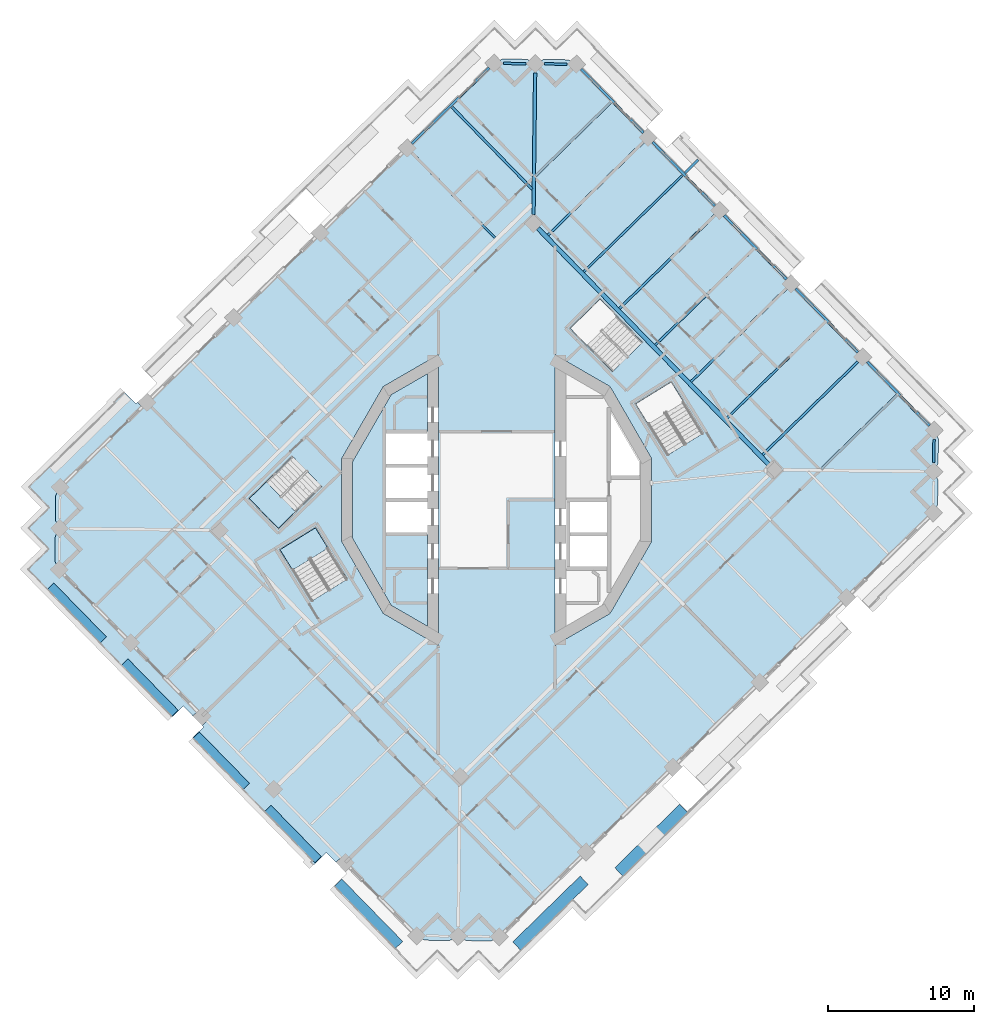
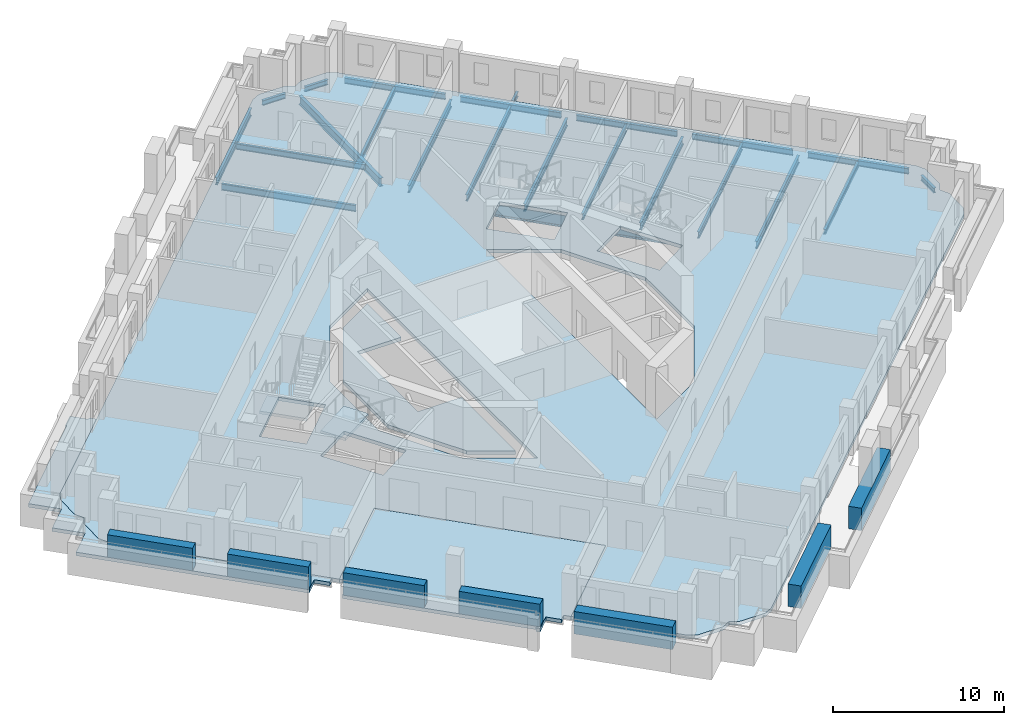
# One storey, part 2 of 17: 23 beams, 7 plates, 6 slabs, 2 elements without a shape of their own.
"""IFC4 building model written with IfcOpenShell, lengths in metres."""

from ifc_helpers import new_model, si_unit, direction, frame, origin, origin_2d, place, context, subcontext, project, spatial, polyline, rectangle, i_section, outline, extrude, material, layer, layer_set, material_profile, profile_set, type_object, element, aggregate, save


model = new_model("IFC4")

# Units and contexts
model_context = context("Model", 3, precision=1e-05, world=origin(), true_north=direction((0.0, 1.0)))
body_context = subcontext(model_context, "Body", "Model", "MODEL_VIEW")
ifc_project = project(units=[si_unit("LENGTHUNIT", "METRE"), si_unit("AREAUNIT", "SQUARE_METRE"), si_unit("VOLUMEUNIT", "CUBIC_METRE"), si_unit("PLANEANGLEUNIT", "RADIAN"), si_unit("MASSUNIT", "GRAM", prefix="KILO")], contexts=[model_context])

# Site, building, storey
site_placement = place(None, origin())
site = spatial("IfcSite", under=ifc_project, at=site_placement, CompositionType="ELEMENT")
building_placement = place(site_placement, origin())
building = spatial("IfcBuilding", under=site, at=building_placement, Name="Cantera Rosa Tower", CompositionType="ELEMENT")
storey_placement = place(building_placement, frame((0.0, 0.0, 237.800048828125)))
storey = spatial("IfcBuildingStorey", under=building, at=storey_placement, Name="L52", CompositionType="ELEMENT", Elevation=237.800048828125)

# Beams
ifc_material_1 = material(Name="Steel ASTM A992 (Fy 345 MPa)", Category="steel")
ifc_material_profile_1 = material_profile(ifc_material_1, i_section(OverallWidth=0.302001953125, OverallDepth=1.010009765625, WebThickness=0.02099609375, FlangeThickness=0.0400390625, FilletRadius=0.030029296875, at=origin_2d()), Name="W1000X350")
ifc_profile_set_1 = profile_set([ifc_material_profile_1], Name="Steel ASTM A992 (Fy 345 MPa)")
beam_type_1 = type_object("IfcBeamType", Name="STEEL BEAM W1000X350", PredefinedType="BEAM", material=ifc_profile_set_1)
beam_1_placement = place(storey_placement, frame((18.69677734375, 2.39892578125, -0.755126953125), z_axis=(-0.698831294804, 0.715286530981, 0.0), x_axis=(-0.715286530981, -0.698831294804, 0.0)))
element("IfcBeam", 1, at=beam_1_placement, inside=storey, type_object=beam_type_1, Name="RB-Z4-05 L52", PredefinedType="BEAM", context=body_context, shape_type="SweptSolid", body=[
    extrude(i_section(OverallWidth=0.302001953125, OverallDepth=1.010009765625, WebThickness=0.02099609375, FlangeThickness=0.0400390625, FilletRadius=0.030029296875, at=origin_2d()), origin(), (0.0, 0.0, 1.0), 22.7001953125),
])
ifc_material_2 = material(Name="Steel ASTM A992 (Fy 345 MPa)", Category="steel")
ifc_material_profile_2 = material_profile(ifc_material_2, i_section(OverallWidth=0.154052734375, OverallDepth=0.4599609375, WebThickness=0.009033203125, FlangeThickness=0.015380859375, FilletRadius=0.01025390625, at=origin_2d()), Name="W460X68")
ifc_profile_set_2 = profile_set([ifc_material_profile_2], Name="Steel ASTM A992 (Fy 345 MPa)")
beam_type_2 = type_object("IfcBeamType", Name="STEEL BEAM W460X68", PredefinedType="BEAM", material=ifc_profile_set_2)
beam_2_placement = place(storey_placement, frame((-5.818603515625, 23.81396484375, -0.47998046875), z_axis=(0.698836133494, -0.715281803574, 0.0), x_axis=(0.715281803574, 0.698836133494, 0.0)))
element("IfcBeam", 2, at=beam_2_placement, inside=storey, type_object=beam_type_2, Name="G-Z4-05 L52", PredefinedType="BEAM", context=body_context, shape_type="SweptSolid", body=[
    extrude(i_section(OverallWidth=0.154052734375, OverallDepth=0.4599609375, WebThickness=0.009033203125, FlangeThickness=0.015380859375, FilletRadius=0.01025390625, at=origin_2d()), origin(), (0.0, 0.0, 1.0), 8.150146484375),
])
ifc_material_3 = material(Name="Steel ASTM A992 (Fy 345 MPa)", Category="steel")
ifc_material_profile_3 = material_profile(ifc_material_3, i_section(OverallWidth=0.166015625, OverallDepth=0.528076171875, WebThickness=0.009765625, FlangeThickness=0.013671875, FilletRadius=0.0126953125, at=origin_2d()), Name="W530X74")
ifc_profile_set_3 = profile_set([ifc_material_profile_3], Name="Steel ASTM A992 (Fy 345 MPa)")
beam_type_3 = type_object("IfcBeamType", Name="STEEL BEAM W530X74", PredefinedType="BEAM", material=ifc_profile_set_3)
for number, where, z_axis, x_axis, name in (
    (3, (24.77587890625, 9.484619140625, -0.51416015625), (-0.71529025682, -0.698827481213, 0.0), (0.698827481213, -0.71529025682, 0.0), "G-Z4-01 L52"),
    (4, (19.8701171875, 14.505859375, -0.51416015625), (-0.71529025682, -0.698827481213, 0.0), (0.698827481213, -0.71529025682, 0.0), "G-Z4-02 L52"),
    (5, (14.96435546875, 19.527099609375, -0.51416015625), (-0.71529025682, -0.698827481213, 0.0), (0.698827481213, -0.71529025682, 0.0), "G-Z4-03 L52"),
    (6, (10.05859375, 24.548583984375, -0.51416015625), (-0.71529025682, -0.698827481213, 0.0), (0.698827481213, -0.71529025682, 0.0), "G-Z4-04 L52"),
):
    element("IfcBeam", number, at=place(storey_placement, frame(where, z_axis=z_axis, x_axis=x_axis)), inside=storey, type_object=beam_type_3, Name=name, PredefinedType="BEAM", context=body_context, shape_type="SweptSolid", body=[
        extrude(i_section(OverallWidth=0.166015625, OverallDepth=0.528076171875, WebThickness=0.009765625, FlangeThickness=0.013671875, FilletRadius=0.0126953125, at=origin_2d()), origin(), (0.0, 0.0, 1.0), 9.14990234375),
    ])
ifc_material_4 = material(Name="Steel ASTM A992 (Fy 345 MPa)", Category="steel")
ifc_material_profile_4 = material_profile(ifc_material_4, i_section(OverallWidth=0.22802734375, OverallDepth=0.60205078125, WebThickness=0.010498046875, FlangeThickness=0.014892578125, FilletRadius=0.0126953125, at=origin_2d()), Name="W610X101")
ifc_profile_set_4 = profile_set([ifc_material_profile_4], Name="Steel ASTM A992 (Fy 345 MPa)")
beam_type_4 = type_object("IfcBeamType", Name="STEEL BEAM W610X101", PredefinedType="BEAM", material=ifc_profile_set_4)
beam_3_placement = place(storey_placement, frame((2.638916015625, 29.28076171875, -0.551025390625), z_axis=(-0.011618330597, -0.999932504919, 0.0), x_axis=(0.999932504919, -0.011618330597, 0.0)))
element("IfcBeam", 7, at=beam_3_placement, inside=storey, type_object=beam_type_4, Name="CB-Z4-01 L52", PredefinedType="BEAM", context=body_context, shape_type="SweptSolid", body=[
    extrude(i_section(OverallWidth=0.22802734375, OverallDepth=0.60205078125, WebThickness=0.010498046875, FlangeThickness=0.014892578125, FilletRadius=0.0126953125, at=origin_2d()), origin(), (0.0, 0.0, 1.0), 9.687255859375),
])
ifc_material_5 = material(Name="Steel ASTM A992 (Fy 345 MPa)", Category="steel")
ifc_material_profile_5 = material_profile(ifc_material_5, i_section(OverallWidth=0.1708984375, OverallDepth=0.35595703125, WebThickness=0.00732421875, FlangeThickness=0.01171875, FilletRadius=0.010009765625, at=origin_2d()), Name="W360X51")
ifc_profile_set_5 = profile_set([ifc_material_profile_5], Name="Steel ASTM A992 (Fy 345 MPa)")
beam_type_5 = type_object("IfcBeamType", Name="STEEL JOIST W360X51", PredefinedType="JOIST", material=ifc_profile_set_5)
for number, where, z_axis, x_axis, name in (
    (8, (27.443359375, 7.18359375, -0.427978515625), (-0.715287213552, -0.69883059616, 0.0), (0.69883059616, -0.715287213552, 0.0), "B-Z4-01 L52"),
    (9, (7.8203125, 27.268798828125, -0.427978515625), (-0.715287213552, -0.69883059616, 0.0), (0.69883059616, -0.715287213552, 0.0), "B-Z4-05 L52"),
):
    element("IfcBeam", number, at=place(storey_placement, frame(where, z_axis=z_axis, x_axis=x_axis)), inside=storey, type_object=beam_type_5, Name=name, PredefinedType="JOIST", context=body_context, shape_type="SweptSolid", body=[
        extrude(i_section(OverallWidth=0.1708984375, OverallDepth=0.35595703125, WebThickness=0.00732421875, FlangeThickness=0.01171875, FilletRadius=0.010009765625, at=origin_2d()), origin(), (0.0, 0.0, 1.0), 7.2099609375),
    ])
beam_4_placement = place(storey_placement, frame((12.92626953125, 22.443115234375, -0.427978515625), z_axis=(0.715262642927, 0.698855744509, 0.0), x_axis=(-0.698855744509, 0.715262642927, 0.0)))
element("IfcBeam", 10, at=beam_4_placement, inside=storey, type_object=beam_type_5, Name="BS-Z4-18 L52", PredefinedType="JOIST", context=body_context, shape_type="SweptSolid", body=[
    extrude(i_section(OverallWidth=0.1708984375, OverallDepth=0.35595703125, WebThickness=0.00732421875, FlangeThickness=0.01171875, FilletRadius=0.010009765625, at=origin_2d()), origin(), (0.0, 0.0, 1.0), 1.25),
])
ifc_material_6 = material(Name="Steel ASTM A992 (Fy 345 MPa)", Category="steel")
ifc_material_profile_6 = material_profile(ifc_material_6, i_section(OverallWidth=0.177978515625, OverallDepth=0.406005859375, WebThickness=0.0078125, FlangeThickness=0.0126953125, FilletRadius=0.01025390625, at=origin_2d()), Name="W410X60")
ifc_profile_set_6 = profile_set([ifc_material_profile_6], Name="Steel ASTM A992 (Fy 345 MPa)")
beam_type_6 = type_object("IfcBeamType", Name="STEEL JOIST W410X60", PredefinedType="JOIST", material=ifc_profile_set_6)
beam_5_placement = place(storey_placement, frame((-3.052734375, 26.935791015625, -0.453125), z_axis=(0.698827868311, -0.715289878631, 0.0), x_axis=(0.715289878631, 0.698827868311, 0.0)))
element("IfcBeam", 11, at=beam_5_placement, inside=storey, type_object=beam_type_6, Name="B-Z4-06 L52", PredefinedType="JOIST", context=body_context, shape_type="SweptSolid", body=[
    extrude(i_section(OverallWidth=0.177978515625, OverallDepth=0.406005859375, WebThickness=0.0078125, FlangeThickness=0.0126953125, FilletRadius=0.01025390625, at=origin_2d()), origin(), (0.0, 0.0, 1.0), 7.860107421875),
])
ifc_material_7 = material(Name="Steel ASTM A992 (Fy 345 MPa)", Category="steel")
ifc_material_profile_7 = material_profile(ifc_material_7, i_section(OverallWidth=0.154052734375, OverallDepth=0.4599609375, WebThickness=0.009033203125, FlangeThickness=0.015380859375, FilletRadius=0.01025390625, at=origin_2d()), Name="W460X68")
ifc_profile_set_7 = profile_set([ifc_material_profile_7], Name="Steel ASTM A992 (Fy 345 MPa)")
beam_type_7 = type_object("IfcBeamType", Name="STEEL JOIST W460X68", PredefinedType="JOIST", material=ifc_profile_set_7)
for number, where, z_axis, x_axis, name in (
    (12, (22.53759765625, 12.204833984375, -0.47998046875), (-0.715287278354, -0.698830529832, 0.0), (0.698830529832, -0.715287278354, 0.0), "B-Z4-02 L52"),
    (13, (17.6318359375, 17.226318359375, -0.47998046875), (-0.715287278354, -0.698830529832, 0.0), (0.698830529832, -0.715287278354, 0.0), "B-Z4-03 L52"),
    (14, (12.72607421875, 22.24755859375, -0.47998046875), (-0.715287278354, -0.698830529832, 0.0), (0.698830529832, -0.715287278354, 0.0), "B-Z4-04 L52"),
):
    element("IfcBeam", number, at=place(storey_placement, frame(where, z_axis=z_axis, x_axis=x_axis)), inside=storey, type_object=beam_type_7, Name=name, PredefinedType="JOIST", context=body_context, shape_type="SweptSolid", body=[
        extrude(i_section(OverallWidth=0.154052734375, OverallDepth=0.4599609375, WebThickness=0.009033203125, FlangeThickness=0.015380859375, FilletRadius=0.01025390625, at=origin_2d()), origin(), (0.0, 0.0, 1.0), 9.4501953125),
    ])
ifc_material_8 = material(Name="Steel ASTM A992 (Fy 345 MPa)", Category="steel")
ifc_material_profile_8 = material_profile(ifc_material_8, i_section(OverallWidth=0.1708984375, OverallDepth=0.35595703125, WebThickness=0.00732421875, FlangeThickness=0.01171875, FilletRadius=0.010009765625, at=origin_2d()), Name="W360X51")
ifc_profile_set_8 = profile_set([ifc_material_profile_8], Name="Steel ASTM A992 (Fy 345 MPa)")
beam_type_8 = type_object("IfcBeamType", Name="STEEL SPANDREL BEAM W360X51", PredefinedType="SPANDREL", material=ifc_profile_set_8)
for number, where, z_axis, x_axis, name in (
    (15, (4.838134765625, 29.8916015625, -0.427978515625), (-0.999930716123, 0.011771276677, 0.0), (-0.011771276677, -0.999930716123, 0.0), "EB-Z4-06 L52"),
    (16, (2.010009765625, 29.924560546875, -0.427978515625), (-0.99993255119, 0.011614347636, 0.0), (-0.011614347636, -0.99993255119, 0.0), "EB-Z4-07 L52"),
    (17, (29.97802734375, 2.5859375, -0.427978515625), (0.011614347636, 0.99993255119, 0.0), (-0.99993255119, 0.011614347636, 0.0), "EB-Z4-28 L52"),
):
    element("IfcBeam", number, at=place(storey_placement, frame(where, z_axis=z_axis, x_axis=x_axis)), inside=storey, type_object=beam_type_8, Name=name, PredefinedType="SPANDREL", context=body_context, shape_type="SweptSolid", body=[
        extrude(i_section(OverallWidth=0.1708984375, OverallDepth=0.35595703125, WebThickness=0.00732421875, FlangeThickness=0.01171875, FilletRadius=0.010009765625, at=origin_2d()), origin(), (0.0, 0.0, 1.0), 1.555419921875),
    ])
ifc_material_9 = material(Name="Steel ASTM A992 (Fy 345 MPa)", Category="steel")
ifc_material_profile_9 = material_profile(ifc_material_9, i_section(OverallWidth=0.177978515625, OverallDepth=0.406005859375, WebThickness=0.0078125, FlangeThickness=0.0126953125, FilletRadius=0.01025390625, at=origin_2d()), Name="W410X60")
ifc_profile_set_9 = profile_set([ifc_material_profile_9], Name="Steel ASTM A992 (Fy 345 MPa)")
beam_type_9 = type_object("IfcBeamType", Name="STEEL SPANDREL BEAM W410X60", PredefinedType="SPANDREL", material=ifc_profile_set_9)
beam_6_placement = place(storey_placement, frame((29.689208984375, 5.099609375, -0.453125), z_axis=(-0.69882117953, 0.715296413412, 0.0), x_axis=(-0.715296413412, -0.69882117953, 0.0)))
element("IfcBeam", 18, at=beam_6_placement, inside=storey, type_object=beam_type_9, Name="EB-Z4-01 L52", PredefinedType="SPANDREL", context=body_context, shape_type="SweptSolid", body=[
    extrude(i_section(OverallWidth=0.177978515625, OverallDepth=0.406005859375, WebThickness=0.0078125, FlangeThickness=0.0126953125, FilletRadius=0.01025390625, at=origin_2d()), origin(), (0.0, 0.0, 1.0), 6.1201171875),
])
for number, where, z_axis, x_axis, name in (
    (19, (24.783203125, 10.120849609375, -0.453125), (-0.698800768177, 0.715316354067, 0.0), (-0.715316354067, -0.698800768177, 0.0), "EB-Z4-02 L52"),
    (20, (19.87744140625, 15.142333984375, -0.453125), (-0.698841120217, 0.71527693147, 0.0), (-0.71527693147, -0.698841120217, 0.0), "EB-Z4-03 L52"),
    (21, (14.9716796875, 20.16357421875, -0.453125), (-0.698841120217, 0.71527693147, 0.0), (-0.71527693147, -0.698841120217, 0.0), "EB-Z4-04 L52"),
):
    element("IfcBeam", number, at=place(storey_placement, frame(where, z_axis=z_axis, x_axis=x_axis)), inside=storey, type_object=beam_type_9, Name=name, PredefinedType="SPANDREL", context=body_context, shape_type="SweptSolid", body=[
        extrude(i_section(OverallWidth=0.177978515625, OverallDepth=0.406005859375, WebThickness=0.0078125, FlangeThickness=0.0126953125, FilletRadius=0.01025390625, at=origin_2d()), origin(), (0.0, 0.0, 1.0), 6.119873046875),
    ])
beam_7_placement = place(storey_placement, frame((10.06591796875, 25.184814453125, -0.453125), z_axis=(-0.69882117953, 0.715296413412, 0.0), x_axis=(-0.715296413412, -0.69882117953, 0.0)))
element("IfcBeam", 22, at=beam_7_placement, inside=storey, type_object=beam_type_9, Name="EB-Z4-05 L52", PredefinedType="SPANDREL", context=body_context, shape_type="SweptSolid", body=[
    extrude(i_section(OverallWidth=0.177978515625, OverallDepth=0.406005859375, WebThickness=0.0078125, FlangeThickness=0.0126953125, FilletRadius=0.01025390625, at=origin_2d()), origin(), (0.0, 0.0, 1.0), 6.1201171875),
])
ifc_material_10 = material(Name="Steel ASTM A992 (Fy 345 MPa)", Category="steel")
ifc_material_profile_10 = material_profile(ifc_material_10, i_section(OverallWidth=0.166015625, OverallDepth=0.528076171875, WebThickness=0.009765625, FlangeThickness=0.013671875, FilletRadius=0.0126953125, at=origin_2d()), Name="W530X74")
ifc_profile_set_10 = profile_set([ifc_material_profile_10], Name="Steel ASTM A992 (Fy 345 MPa)")
beam_type_10 = type_object("IfcBeamType", Name="STEEL SPANDREL BEAM W530X74", PredefinedType="SPANDREL", material=ifc_profile_set_10)
beam_8_placement = place(storey_placement, frame((-0.503662109375, 29.6357421875, -0.51416015625), z_axis=(-0.715284379566, -0.698833496871, 0.0), x_axis=(0.698833496871, -0.715284379566, 0.0)))
element("IfcBeam", 23, at=beam_8_placement, inside=storey, type_object=beam_type_10, Name="EB-Z4-08 L52", PredefinedType="SPANDREL", context=body_context, shape_type="SweptSolid", body=[
    extrude(i_section(OverallWidth=0.166015625, OverallDepth=0.528076171875, WebThickness=0.009765625, FlangeThickness=0.013671875, FilletRadius=0.0126953125, at=origin_2d()), origin(), (0.0, 0.0, 1.0), 7.42041015625),
])

# Slabs
ifc_material_11 = material(Name="Concrete C35/45", Category="concrete")
ifc_layer_1 = layer(ifc_material_11, 0.25)
ifc_layer_set_1 = layer_set([ifc_layer_1], Name="COMPOSITE FLOOR SLAB 250 C35/45")
slab_type_1 = type_object("IfcSlabType", Name="COMPOSITE FLOOR SLAB 250 C35/45", PredefinedType="FLOOR", material=ifc_layer_set_1)
slab_1_placement = place(storey_placement, frame((0.0, 0.0, -0.25)))
element("IfcSlab", 24, at=slab_1_placement, inside=storey, type_object=slab_type_1, Name="SLAB L52 floor 1", PredefinedType="FLOOR", context=body_context, shape_type="SweptSolid", body=[
    extrude(outline(polyline([(-4.75, -2.35009765625), (-4.75, -8.660400390625), (-7.22900390625, -7.22900390625), (-9.875244140625, -2.64599609375), (-9.875244140625, 2.64599609375), (-7.22900390625, 7.22900390625), (-4.75, 8.660400390625), (-4.75, 4.699951171875), (-7.699951171875, 4.699951171875), (-7.699951171875, 2.35009765625), (-7.699951171875, 0.0), (-7.699951171875, -2.35009765625), (-4.75, -2.35009765625)])), origin(), (0.0, 0.0, 1.0), 0.25),
])
slab_2_placement = place(storey_placement, frame((0.0, 0.0, -0.25)))
element("IfcSlab", 25, at=slab_2_placement, inside=storey, type_object=slab_type_1, Name="SLAB L52 floor 2", PredefinedType="FLOOR", context=body_context, shape_type="SweptSolid", body=[
    extrude(outline(polyline([(-2.646484375, -29.917236328125), (-3.144287109375, -30.176025390625), (-3.171142578125, -30.188232421875), (-3.198974609375, -30.197998046875), (-3.2275390625, -30.20458984375), (-3.2568359375, -30.208740234375), (-3.2861328125, -30.209716796875), (-4.841796875, -30.191650390625), (-4.87109375, -30.18994140625), (-4.900146484375, -30.185302734375), (-4.9287109375, -30.177734375), (-4.956298828125, -30.16748046875), (-4.982666015625, -30.154541015625), (-5.474609375, -29.88427734375), (-10.38037109375, -24.863037109375), (-5.015869140625, -19.621826171875), (-14.827392578125, -9.5791015625), (-20.19189453125, -14.8203125), (-30.003662109375, -4.777587890625), (-30.262451171875, -4.27978515625), (-30.274658203125, -4.2529296875), (-30.2841796875, -4.22509765625), (-30.291015625, -4.196533203125), (-30.295166015625, -4.167236328125), (-30.296142578125, -4.137939453125), (-30.278076171875, -2.58251953125), (-30.2763671875, -2.552978515625), (-30.271484375, -2.52392578125), (-30.26416015625, -2.495361328125), (-30.25390625, -2.4677734375), (-30.240966796875, -2.44140625), (-29.970703125, -1.949462890625), (-30.2294921875, -1.451416015625), (-30.24169921875, -1.4248046875), (-30.25146484375, -1.39697265625), (-30.25830078125, -1.368408203125), (-30.26220703125, -1.339111328125), (-30.26318359375, -1.309814453125), (-30.2451171875, 0.245849609375), (-30.243408203125, 0.275146484375), (-30.23876953125, 0.30419921875), (-30.231201171875, 0.332763671875), (-30.220947265625, 0.3603515625), (-30.2080078125, 0.386962890625), (-29.937744140625, 0.878662109375), (-0.883056640625, 29.26513671875), (-0.181884765625, 29.9501953125), (0.316162109375, 30.208984375), (0.343017578125, 30.22119140625), (0.37060546875, 30.230712890625), (0.3994140625, 30.237548828125), (0.4287109375, 30.24169921875), (0.4580078125, 30.24267578125), (2.013427734375, 30.224609375), (2.04296875, 30.222900390625), (2.072021484375, 30.218017578125), (2.100341796875, 30.210693359375), (2.1279296875, 30.200439453125), (2.154541015625, 30.1875), (2.646484375, 29.917236328125), (3.144287109375, 30.176025390625), (3.171142578125, 30.188232421875), (3.198974609375, 30.197998046875), (3.2275390625, 30.20458984375), (3.2568359375, 30.208740234375), (3.2861328125, 30.209716796875), (4.841796875, 30.191650390625), (4.87109375, 30.18994140625), (4.900146484375, 30.185302734375), (4.9287109375, 30.177734375), (4.956298828125, 30.16748046875), (4.982666015625, 30.154541015625), (5.474609375, 29.88427734375), (30.003662109375, 4.777587890625), (30.262451171875, 4.27978515625), (30.274658203125, 4.2529296875), (30.2841796875, 4.22509765625), (30.291015625, 4.196533203125), (30.295166015625, 4.167236328125), (30.296142578125, 4.137939453125), (30.278076171875, 2.58251953125), (30.2763671875, 2.552978515625), (30.271484375, 2.52392578125), (30.26416015625, 2.495361328125), (30.25390625, 2.4677734375), (30.240966796875, 2.44140625), (29.970703125, 1.949462890625), (30.2294921875, 1.451416015625), (30.24169921875, 1.4248046875), (30.25146484375, 1.39697265625), (30.25830078125, 1.368408203125), (30.26220703125, 1.339111328125), (30.26318359375, 1.309814453125), (30.2451171875, -0.245849609375), (30.243408203125, -0.275146484375), (30.23876953125, -0.30419921875), (30.231201171875, -0.332763671875), (30.220947265625, -0.3603515625), (30.2080078125, -0.386962890625), (29.937744140625, -0.878662109375), (0.883056640625, -29.26513671875), (0.181884765625, -29.9501953125), (-0.316162109375, -30.208984375), (-0.343017578125, -30.22119140625), (-0.37060546875, -30.230712890625), (-0.3994140625, -30.237548828125), (-0.4287109375, -30.24169921875), (-0.4580078125, -30.24267578125), (-2.013427734375, -30.224609375), (-2.04296875, -30.222900390625), (-2.072021484375, -30.218017578125), (-2.100341796875, -30.210693359375), (-2.1279296875, -30.200439453125), (-2.154541015625, -30.1875), (-2.646484375, -29.917236328125)]), holes=[polyline([(-12.68408203125, -6.929443359375), (-10.258544921875, -5.433349609375), (-12.430908203125, -1.911376953125), (-14.8564453125, -3.407470703125), (-12.68408203125, -6.929443359375)]), polyline([(-10.625244140625, -2.846923828125), (-7.7783203125, -7.7783203125), (-4.0, -9.95947265625), (-4.0, 9.95947265625), (-7.7783203125, 7.7783203125), (-10.625244140625, 2.846923828125), (-10.625244140625, -2.846923828125)]), polyline([(-12.01123046875, 0.95068359375), (-14.0029296875, 2.9892578125), (-16.962890625, 0.097412109375), (-14.97119140625, -1.941162109375), (-12.01123046875, 0.95068359375)]), polyline([(10.625244140625, 2.846923828125), (7.7783203125, 7.7783203125), (4.0, 9.95947265625), (4.0, -9.95947265625), (7.7783203125, -7.7783203125), (10.625244140625, -2.846923828125), (10.625244140625, 2.846923828125)]), polyline([(9.54345703125, 6.592529296875), (11.7158203125, 3.070556640625), (14.1416015625, 4.566650390625), (11.96923828125, 8.088623046875), (9.54345703125, 6.592529296875)]), polyline([(5.058837890625, 11.771240234375), (7.95068359375, 8.811279296875), (9.9892578125, 10.802978515625), (7.097412109375, 13.762939453125), (5.058837890625, 11.771240234375)])]), origin(), (0.0, 0.0, 1.0), 0.25),
])
ifc_material_12 = material(Name="Concrete C35/45", Category="concrete")
ifc_layer_2 = layer(ifc_material_12, 0.25)
ifc_layer_set_2 = layer_set([ifc_layer_2], Name="LOGGIA SLAB 250 C35/45")
slab_type_2 = type_object("IfcSlabType", Name="LOGGIA SLAB 250 C35/45", PredefinedType="FLOOR", material=ifc_layer_set_2)
slab_3_placement = place(storey_placement, frame((0.0, 0.0, -0.25)))
element("IfcSlab", 26, at=slab_3_placement, inside=storey, type_object=slab_type_2, Name="LOGGIA SLAB L52 1", PredefinedType="FLOOR", context=body_context, shape_type="SweptSolid", body=[
    extrude(outline(polyline([(-32.124755859375, -4.753173828125), (-31.0517578125, -3.704833984375), (-30.694091796875, -3.35546875), (-31.043701171875, -2.997802734375), (-32.091796875, -1.9248046875), (-31.018798828125, -0.876708984375), (-30.661376953125, -0.527099609375), (-31.0107421875, -0.16943359375), (-32.05908203125, 0.9033203125), (-30.986083984375, 1.95166015625), (-26.1650390625, 6.66162109375), (-26.22119140625, 6.718994140625), (-25.52001953125, 7.404052734375), (-24.730224609375, 6.595703125), (-24.622802734375, 6.700439453125), (-24.30859375, 6.37841796875), (-29.937744140625, 0.878662109375), (-30.2080078125, 0.386962890625), (-30.220947265625, 0.3603515625), (-30.231201171875, 0.332763671875), (-30.23876953125, 0.30419921875), (-30.243408203125, 0.275146484375), (-30.2451171875, 0.245849609375), (-30.26318359375, -1.309814453125), (-30.26220703125, -1.339111328125), (-30.25830078125, -1.368408203125), (-30.25146484375, -1.39697265625), (-30.24169921875, -1.4248046875), (-30.2294921875, -1.451416015625), (-29.970703125, -1.949462890625), (-30.240966796875, -2.44140625), (-30.25390625, -2.4677734375), (-30.26416015625, -2.495361328125), (-30.271484375, -2.52392578125), (-30.2763671875, -2.552978515625), (-30.278076171875, -2.58251953125), (-30.296142578125, -4.137939453125), (-30.295166015625, -4.167236328125), (-30.291015625, -4.196533203125), (-30.2841796875, -4.22509765625), (-30.274658203125, -4.2529296875), (-30.262451171875, -4.27978515625), (-30.003662109375, -4.777587890625), (-20.506591796875, -14.49853515625), (-20.828369140625, -14.81298828125), (-21.4921875, -14.13330078125), (-22.243408203125, -14.8671875), (-22.313232421875, -14.795654296875), (-25.12255859375, -11.920166015625), (-27.218994140625, -9.7744140625), (-31.076416015625, -5.825927734375), (-32.124755859375, -4.753173828125)])), origin(), (0.0, 0.0, 1.0), 0.25),
])

# Plates
ifc_material_13 = material(Name="Cantera stone planter with soil", Category="masonry")
plate_type_1 = type_object("IfcPlateType", Name="PLANTER 600", PredefinedType="USERDEFINED", material=ifc_material_13)
plate_1_placement = place(storey_placement, frame((-28.77587890625, -7.75146484375, 0.0), z_axis=(0.0, 0.0, 1.0), x_axis=(0.698831540364, -0.71528629107, 0.0)))
element("IfcPlate", 27, at=plate_1_placement, inside=storey, type_object=plate_type_1, Name="PLANTER L52-11", ObjectType="PLANTER", PredefinedType="USERDEFINED", context=body_context, shape_type="SweptSolid", body=[
    extrude(rectangle(XDim=5.169921875, YDim=0.60009765625, at=origin_2d()), origin(), (0.0, 0.0, 1.0), 1.60009765625),
])
for number, where, z_axis, x_axis, name in (
    (28, (-23.78271484375, -12.8623046875, 0.0), (0.0, 0.0, 1.0), (0.698831540364, -0.71528629107, 0.0), "PLANTER L52-12"),
    (29, (-18.876953125, -17.883544921875, 0.0), (0.0, 0.0, 1.0), (0.698831540364, -0.71528629107, 0.0), "PLANTER L52-13"),
    (30, (-13.97119140625, -22.90478515625, 0.0), (0.0, 0.0, 1.0), (0.698831540364, -0.71528629107, 0.0), "PLANTER L52-14"),
):
    element("IfcPlate", number, at=place(storey_placement, frame(where, z_axis=z_axis, x_axis=x_axis)), inside=storey, type_object=plate_type_1, Name=name, ObjectType="PLANTER", PredefinedType="USERDEFINED", context=body_context, shape_type="SweptSolid", body=[
        extrude(rectangle(XDim=4.919921875, YDim=0.60009765625, at=origin_2d()), origin(), (0.0, 0.0, 1.0), 1.60009765625),
    ])
ifc_material_14 = material(Name="Cantera stone planter with soil", Category="masonry")
plate_type_2 = type_object("IfcPlateType", Name="PLANTER 700", PredefinedType="USERDEFINED", material=ifc_material_14)
plate_2_placement = place(storey_placement, frame((-8.778564453125, -28.3798828125, 0.0), z_axis=(0.0, 0.0, 1.0), x_axis=(0.698831540364, -0.71528629107, 0.0)))
element("IfcPlate", 31, at=plate_2_placement, inside=storey, type_object=plate_type_2, Name="PLANTER L52-15", ObjectType="PLANTER", PredefinedType="USERDEFINED", context=body_context, shape_type="SweptSolid", body=[
    extrude(rectangle(XDim=5.969970703125, YDim=0.699951171875, at=origin_2d()), origin(), (0.0, 0.0, 1.0), 1.60009765625),
])
ifc_material_15 = material(Name="Cantera stone planter with soil", Category="masonry")
plate_type_3 = type_object("IfcPlateType", Name="PLANTER 800", PredefinedType="USERDEFINED", material=ifc_material_15)
plate_3_placement = place(storey_placement, frame((3.6904296875, -28.33984375, 0.0), z_axis=(0.0, 0.0, 1.0), x_axis=(0.71528629107, 0.698831540364, 0.0)))
element("IfcPlate", 32, at=plate_3_placement, inside=storey, type_object=plate_type_3, Name="PLANTER L52-16", ObjectType="PLANTER", PredefinedType="USERDEFINED", context=body_context, shape_type="SweptSolid", body=[
    extrude(rectangle(XDim=6.469970703125, YDim=0.800048828125, at=origin_2d()), origin(), (0.0, 0.0, 1.0), 1.60009765625),
])
plate_4_placement = place(storey_placement, frame((10.6044921875, -23.332275390625, 0.0), z_axis=(0.0, 0.0, 1.0), x_axis=(0.71528629107, 0.698831540364, 0.0)))
element("IfcPlate", 33, at=plate_4_placement, inside=storey, type_object=plate_type_3, Name="PLANTER L52-17", ObjectType="PLANTER", PredefinedType="USERDEFINED", context=body_context, shape_type="SweptSolid", body=[
    extrude(rectangle(XDim=6.219970703125, YDim=0.800048828125, at=origin_2d()), origin(), (0.0, 0.0, 1.0), 1.60009765625),
])

# Stair, slab
ifc_material_16 = material(Name="Concrete C35/45", Category="concrete")
stair_type = type_object("IfcStairType", Name="EXIT STAIR 1350 DOGLEG", PredefinedType="HALF_TURN_STAIR", material=ifc_material_16)
stair_1_placement = place(storey_placement, origin())
stair_1 = element("IfcStair", 34, at=stair_1_placement, inside=storey, type_object=stair_type, Name="L52 ST-43", PredefinedType="HALF_TURN_STAIR")
ifc_material_17 = material(Name="Concrete C35/45", Category="concrete")
ifc_layer_3 = layer(ifc_material_17, 0.199951171875)
ifc_layer_set_3 = layer_set([ifc_layer_3], Name="STAIR LANDING 200")
slab_type_3 = type_object("IfcSlabType", Name="STAIR LANDING 200", PredefinedType="LANDING", material=ifc_layer_set_3)
slab_4_placement = place(storey_placement, frame((0.0, 0.0, 1.599853515625)))
slab_4 = element("IfcSlab", 35, at=slab_4_placement, type_object=slab_type_3, Name="ST-43 landing 1", PredefinedType="LANDING", context=body_context, shape_type="SweptSolid", body=[
    extrude(outline(polyline([(-15.788330078125, 1.244873046875), (-16.962890625, 0.097412109375), (-14.97119140625, -1.941162109375), (-13.796630859375, -0.793701171875), (-15.788330078125, 1.244873046875)])), origin(), (0.0, 0.0, 1.0), 0.2001953125),
])
aggregate(stair_1, [slab_4])

stair_2_placement = place(storey_placement, origin())
stair_2 = element("IfcStair", 36, at=stair_2_placement, inside=storey, type_object=stair_type, Name="L52 ST-44", PredefinedType="HALF_TURN_STAIR")
slab_5_placement = place(storey_placement, frame((0.0, 0.0, 1.599853515625)))
slab_5 = element("IfcSlab", 37, at=slab_5_placement, type_object=slab_type_3, Name="ST-44 landing 1", PredefinedType="LANDING", context=body_context, shape_type="SweptSolid", body=[
    extrude(outline(polyline([(-11.56884765625, -3.308837890625), (-12.430908203125, -1.911376953125), (-14.8564453125, -3.407470703125), (-13.99462890625, -4.80517578125), (-11.56884765625, -3.308837890625)])), origin(), (0.0, 0.0, 1.0), 0.2001953125),
])
aggregate(stair_2, [slab_5])

# Slab
ifc_material_18 = material(Name="Concrete C35/45", Category="concrete")
ifc_layer_4 = layer(ifc_material_18, 0.25)
ifc_layer_set_4 = layer_set([ifc_layer_4], Name="TERRACE SLAB 250 C35/45")
slab_type_4 = type_object("IfcSlabType", Name="TERRACE SLAB 250 C35/45", PredefinedType="FLOOR", material=ifc_layer_set_4)
slab_6_placement = place(storey_placement, frame((0.0, 0.0, -0.25)))
element("IfcSlab", 38, at=slab_6_placement, inside=storey, type_object=slab_type_4, Name="TERRACE SLAB L52 1", PredefinedType="FLOOR", context=body_context, shape_type="SweptSolid", body=[
    extrude(outline(polyline([(-20.216796875, -16.94140625), (-20.845703125, -16.2978515625), (-20.094482421875, -15.56396484375), (-20.199462890625, -15.456787109375), (-19.87744140625, -15.14208984375), (-20.19189453125, -14.8203125), (-14.827392578125, -9.5791015625), (-5.015869140625, -19.621826171875), (-10.38037109375, -24.863037109375), (-10.69482421875, -24.541015625), (-11.016845703125, -24.855712890625), (-11.6806640625, -24.176025390625), (-12.547607421875, -25.023193359375), (-12.730712890625, -24.835693359375), (-12.61474609375, -24.722412109375), (-15.310791015625, -21.962890625), (-17.407470703125, -19.81689453125), (-20.216796875, -16.94140625)])), origin(), (0.0, 0.0, 1.0), 0.25),
])

save(model, "model.ifc")
